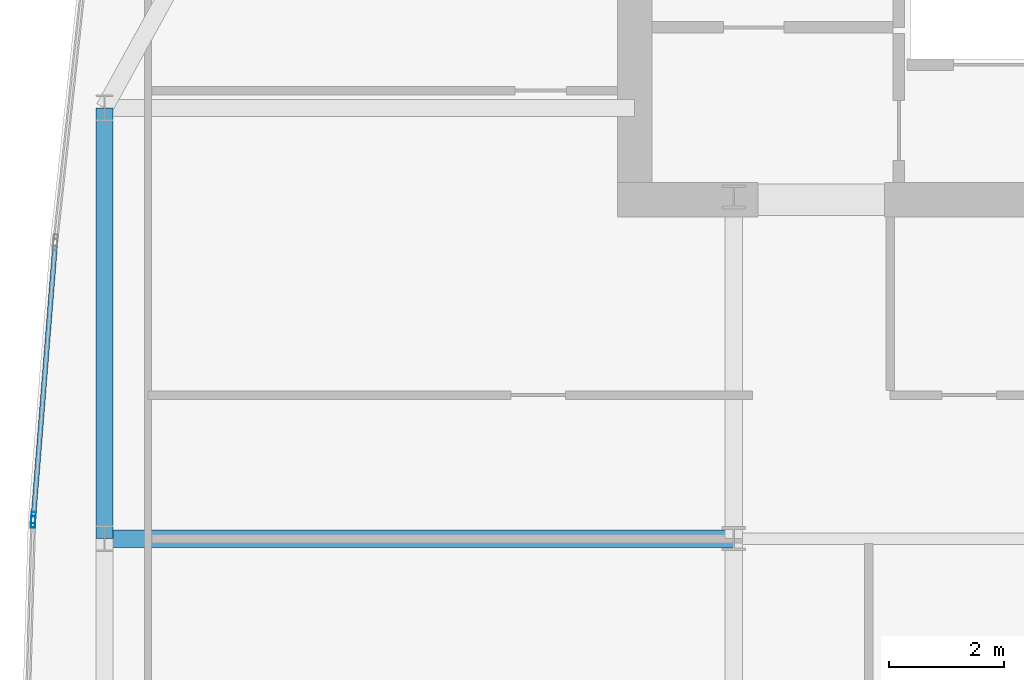
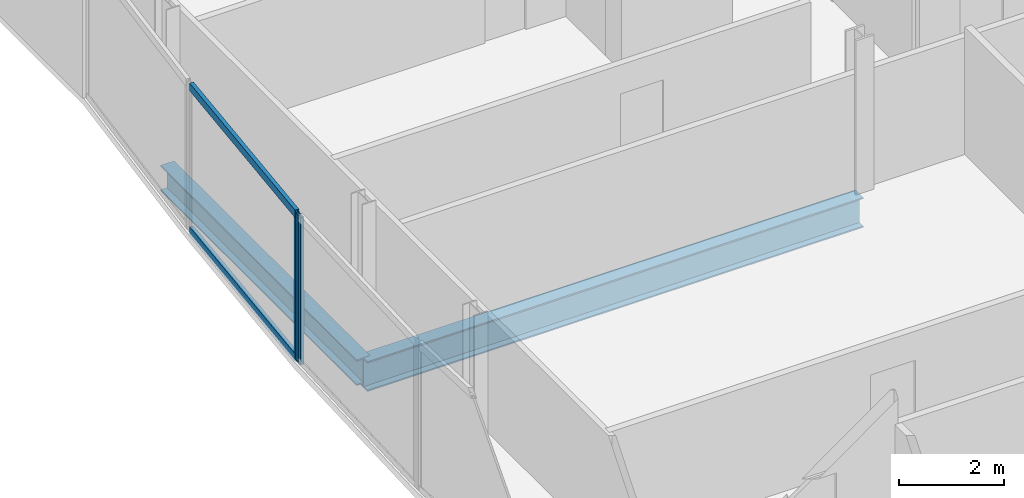
# One storey, part 12 of 32: 4 members, 2 beams, 2 elements without a shape of their own.
"""IFC4 building model written with IfcOpenShell, lengths in metres."""

import ifcopenshell
import ifcopenshell.guid

model = None  # the IFC model being written
_history = None  # IfcOwnerHistory: only IFC2X3 demands one
_inside = {}  # id of a spatial element -> (the spatial element, [elements in it])
_under = {}  # id of a project, library or spatial element -> (it, [spatial elements below it])
_declared = {}  # id of a project -> (the project, [libraries it declares])
_typed = {}  # id of a type object -> (the type object, [elements of that type])
_made_of = {}  # id of a material, layer set ... -> (it, [elements and type objects made of it])


def new_model(schema):
    """Start an empty IFC model of exactly this schema.

    Asked for "IFC4X3", IfcOpenShell would pick the latest addendum, in which some entities
    have other attributes; the version numbers below select the first issue.
    IFC2X3 requires an IfcOwnerHistory on every rooted entity: one is made here for all.
    """
    global model, _history
    if schema == "IFC4X3":
        model = ifcopenshell.file(schema_version=(4, 3, 0, 0))
    else:
        model = ifcopenshell.file(schema=schema)
    _inside.clear()
    _under.clear()
    _declared.clear()
    _typed.clear()
    _made_of.clear()
    _history = None
    if model.schema == "IFC2X3":
        org = make("IfcOrganization", Name="unknown")
        user = make(
            "IfcPersonAndOrganization",
            ThePerson=make("IfcPerson", FamilyName="unknown"),
            TheOrganization=org,
        )
        app = make(
            "IfcApplication",
            ApplicationDeveloper=org,
            Version="unknown",
            ApplicationFullName="unknown",
            ApplicationIdentifier="unknown",
        )
        _history = make(
            "IfcOwnerHistory",
            OwningUser=user,
            OwningApplication=app,
            ChangeAction="ADDED",
            CreationDate=0,
        )
    return model


def make(cls, **values):
    """One entity of the class cls with the attributes given. An attribute that is None is left unset."""
    return model.create_entity(
        cls, **{name: value for name, value in values.items() if value is not None}
    )


def rooted(cls, **values):
    """An entity with a GlobalId (a new one), such as an element, a storey or a relation."""
    return make(cls, GlobalId=ifcopenshell.guid.new(), OwnerHistory=_history, **values)


def si_unit(unit_type, name, prefix=None):
    """IfcSIUnit, for example si_unit("LENGTHUNIT", "METRE", prefix="MILLI")."""
    return make("IfcSIUnit", UnitType=unit_type, Prefix=prefix, Name=name)


def assignment(units):
    """IfcUnitAssignment: the units of a project."""
    return None if units is None else make("IfcUnitAssignment", Units=units)


def point(xyz):
    """IfcCartesianPoint."""
    return None if xyz is None else make("IfcCartesianPoint", Coordinates=xyz)


def direction(xyz):
    """IfcDirection."""
    return None if xyz is None else make("IfcDirection", DirectionRatios=xyz)


def frame(location, z_axis=None, x_axis=None):
    """IfcAxis2Placement3D, a coordinate frame: its origin and axes. An axis left out is left unset."""
    return make(
        "IfcAxis2Placement3D",
        Location=point(location),
        Axis=direction(z_axis),
        RefDirection=direction(x_axis),
    )


def frame_2d(location, x_axis=None):
    """IfcAxis2Placement2D, a coordinate frame in the plane: its origin and x axis."""
    return make(
        "IfcAxis2Placement2D", Location=point(location), RefDirection=direction(x_axis)
    )


def origin():
    """The frame at (0, 0, 0) with its axes left unset."""
    return frame((0.0, 0.0, 0.0))


def origin_2d():
    """The frame at (0, 0) in the plane with its x axis left unset."""
    return frame_2d((0.0, 0.0))


def place(relative_to, where):
    """IfcLocalPlacement: puts the frame where relative to a parent placement (None: the world)."""
    return make(
        "IfcLocalPlacement", PlacementRelTo=relative_to, RelativePlacement=where
    )


def context(
    kind, dimensions, precision=None, world=None, true_north=None, identifier=None
):
    """IfcGeometricRepresentationContext, for example the 3D "Model" context."""
    return make(
        "IfcGeometricRepresentationContext",
        ContextIdentifier=identifier,
        ContextType=kind,
        CoordinateSpaceDimension=dimensions,
        Precision=precision,
        WorldCoordinateSystem=world,
        TrueNorth=true_north,
    )


def subcontext(parent, identifier, kind, view, scale=None):
    """IfcGeometricRepresentationSubContext, for example "Body" below "Model"."""
    return make(
        "IfcGeometricRepresentationSubContext",
        ContextIdentifier=identifier,
        ContextType=kind,
        ParentContext=parent,
        TargetScale=scale,
        TargetView=view,
    )


def project(units=None, contexts=None):
    """IfcProject with its units and contexts."""
    return rooted(
        "IfcProject",
        Name="project",
        RepresentationContexts=contexts,
        UnitsInContext=assignment(units),
    )


def spatial(cls, under=None, at=None, **own):
    """A site, building, storey or space (cls), placed at a placement, below another one or the project."""
    s = rooted(cls, ObjectPlacement=at, **own)
    if under is not None:
        _under.setdefault(under.id(), (under, []))[1].append(s)
    return s


def profile(cls, at=None, kind="AREA", **sizes):
    """A parametric profile (cls). Its sizes go by their IFC names, for example OverallWidth=200.0."""
    return make(cls, ProfileType=kind, Position=at, **sizes)


def hollow_rectangle(**sizes):
    """IfcRectangleHollowProfileDef."""
    return profile("IfcRectangleHollowProfileDef", **sizes)


def i_section(**sizes):
    """IfcIShapeProfileDef."""
    return profile("IfcIShapeProfileDef", **sizes)


def extrude(swept, where, along, depth):
    """IfcExtrudedAreaSolid: the profile swept, set in the frame where, extruded along a direction by depth."""
    return make(
        "IfcExtrudedAreaSolid",
        SweptArea=swept,
        Position=where,
        ExtrudedDirection=direction(along),
        Depth=depth,
    )


def shape(context_of_items, identifier, shape_type, items):
    """IfcShapeRepresentation: the items that make up one representation, for example the "Body"."""
    return make(
        "IfcShapeRepresentation",
        ContextOfItems=context_of_items,
        RepresentationIdentifier=identifier,
        RepresentationType=shape_type,
        Items=items,
    )


def material(Name=None, Category=None):
    """IfcMaterial."""
    return make("IfcMaterial", Name=Name, Category=Category)


def material_profile(
    of_material, cross_section, Name=None, Category=None, Priority=None
):
    """IfcMaterialProfile: a cross section and its material."""
    return make(
        "IfcMaterialProfile",
        Name=Name,
        Material=of_material,
        Profile=cross_section,
        Priority=Priority,
        Category=Category,
    )


def profile_set(profiles, Name=None, composite=None):
    """IfcMaterialProfileSet."""
    return make(
        "IfcMaterialProfileSet",
        Name=Name,
        MaterialProfiles=profiles,
        CompositeProfile=composite,
    )


def made_of(thing, what):
    """Note that an element or type object is made of a material, layer set ...; save() writes the relation."""
    if what is not None:
        _made_of.setdefault(what.id(), (what, []))[1].append(thing)
    return thing


def type_object(cls, material=None, **own):
    """A type object (cls), such as IfcWallType, which elements share."""
    return made_of(rooted(cls, **own), material)


def element(
    cls,
    number,
    at=None,
    inside=None,
    cuts=None,
    type_object=None,
    material=None,
    context=None,
    identifier="Body",
    shape_type=None,
    held_by="IfcProductDefinitionShape",
    body=None,
    shapes=None,
    **own,
):
    """One element of the class cls, such as IfcWall. Its Tag is "e" and its number.

    at: its placement. inside: the storey or other place that contains it. cuts: it is an
    opening in that element (IfcRelVoidsElement). A single representation is given by context,
    identifier, shape_type and body (its items); several are given by shapes. held_by: the class
    of the entity that holds the representations. save() writes the other relations.
    """
    e = rooted(cls, Tag="e%d" % number, ObjectPlacement=at, **own)
    if body is not None:
        shapes = [shape(context, identifier, shape_type, body)]
    if shapes is not None:
        e.Representation = make(held_by, Representations=shapes)
    if inside is not None:
        _inside.setdefault(inside.id(), (inside, []))[1].append(e)
    if cuts is not None:
        rooted(
            "IfcRelVoidsElement", RelatingBuildingElement=cuts, RelatedOpeningElement=e
        )
    if type_object is not None:
        _typed.setdefault(type_object.id(), (type_object, []))[1].append(e)
    return made_of(e, material)


def aggregate(whole, parts):
    """IfcRelAggregates: a whole, such as a stair, and the parts it consists of."""
    return rooted("IfcRelAggregates", RelatingObject=whole, RelatedObjects=parts)


def save(model, path):
    """Write the relations noted so far, then the file.

    IfcRelAggregates (storeys below a building ...), IfcRelContainedInSpatialStructure (elements
    in a storey), IfcRelDefinesByType, IfcRelAssociatesMaterial and IfcRelDeclares: one each for
    every whole, place, type object, material and project.
    """
    for whole, parts in _under.values():
        aggregate(whole, parts)
    for where, things in _inside.values():
        rooted(
            "IfcRelContainedInSpatialStructure",
            RelatedElements=things,
            RelatingStructure=where,
        )
    for kind, things in _typed.values():
        rooted("IfcRelDefinesByType", RelatedObjects=things, RelatingType=kind)
    for what, things in _made_of.values():
        rooted("IfcRelAssociatesMaterial", RelatedObjects=things, RelatingMaterial=what)
    for by, libraries in _declared.values():
        rooted("IfcRelDeclares", RelatingContext=by, RelatedDefinitions=libraries)
    model.write(path)


model = new_model("IFC4")

# Units and contexts
model_context = context("Model", 3, precision=1e-05, world=origin(), true_north=direction((0.0, 1.0)))
body_context = subcontext(model_context, "Body", "Model", "MODEL_VIEW")
ifc_project = project(units=[si_unit("LENGTHUNIT", "METRE"), si_unit("AREAUNIT", "SQUARE_METRE"), si_unit("VOLUMEUNIT", "CUBIC_METRE"), si_unit("PLANEANGLEUNIT", "RADIAN"), si_unit("MASSUNIT", "GRAM", prefix="KILO")], contexts=[model_context])

# Site, building, storey
site_placement = place(None, origin())
site = spatial("IfcSite", under=ifc_project, at=site_placement, CompositionType="ELEMENT")
building_placement = place(site_placement, origin())
building = spatial("IfcBuilding", under=site, at=building_placement, Name="Khoronbel Lancet Exchange", CompositionType="ELEMENT")
storey_placement = place(building_placement, frame((0.0, 0.0, 192.199951171875)))
storey = spatial("IfcBuildingStorey", under=building, at=storey_placement, Name="L48", CompositionType="ELEMENT", Elevation=192.199951171875)

# Beams
ifc_material_1 = material(Name="Steel S355", Category="steel")
ifc_material_profile_1 = material_profile(ifc_material_1, i_section(OverallWidth=0.300048828125, OverallDepth=0.699951171875, WebThickness=0.01708984375, FlangeThickness=0.031982421875, at=origin_2d()), Name="HEB 700")
ifc_profile_set_1 = profile_set([ifc_material_profile_1], Name="Steel S355")
beam_type_1 = type_object("IfcBeamType", Name="BM-BG3", PredefinedType="BEAM", material=ifc_profile_set_1)
beam_1_placement = place(storey_placement, frame((7.27001953125, 35.699951171875, -0.510009765625), z_axis=(1.0, 0.0, 0.0), x_axis=(0.0, 1.0, 0.0)))
element("IfcBeam", 1, at=beam_1_placement, inside=storey, type_object=beam_type_1, Name="Level L48 west lens tie girder LG4W", PredefinedType="BEAM", context=body_context, shape_type="SweptSolid", body=[
    extrude(i_section(OverallWidth=0.300048828125, OverallDepth=0.699951171875, WebThickness=0.01708984375, FlangeThickness=0.031982421875, at=origin_2d()), origin(), (0.0, 0.0, 1.0), 10.955078125),
])
ifc_material_profile_2 = material_profile(ifc_material_1, i_section(OverallWidth=0.300048828125, OverallDepth=0.60009765625, WebThickness=0.015380859375, FlangeThickness=0.030029296875, at=origin_2d()), Name="HEB 600")
ifc_profile_set_2 = profile_set([ifc_material_profile_2], Name="Steel S355")
beam_type_2 = type_object("IfcBeamType", Name="BM-BSP2", PredefinedType="SPANDREL", material=ifc_profile_set_2)
beam_2_placement = place(storey_placement, frame((7.27001953125, 43.199951171875, -0.4599609375), z_axis=(0.0, -1.0, 0.0), x_axis=(1.0, 0.0, 0.0)))
element("IfcBeam", 2, at=beam_2_placement, inside=storey, type_object=beam_type_2, Name="Level L48 perimeter spandrel beam SP17", PredefinedType="SPANDREL", context=body_context, shape_type="SweptSolid", body=[
    extrude(i_section(OverallWidth=0.300048828125, OverallDepth=0.60009765625, WebThickness=0.015380859375, FlangeThickness=0.030029296875, at=origin_2d()), origin(), (0.0, 0.0, 1.0), 7.5),
])

# Curtain wall, member
ifc_material_2 = material(Name="Low-E Solar Control Insulating Glass", Category="glass")
curtain_wall_type = type_object("IfcCurtainWallType", Name="CW-4", PredefinedType="NOTDEFINED", material=ifc_material_2)
curtain_wall_1_placement = place(storey_placement, origin())
curtain_wall_1 = element("IfcCurtainWall", 3, at=curtain_wall_1_placement, inside=storey, type_object=curtain_wall_type, Name="Unitised curtain wall CW-L48-E07", PredefinedType="NOTDEFINED")
ifc_material_3 = material(Name="Bronze-Anodised Aluminium 6063-T6", Category="aluminium")
ifc_material_profile_3 = material_profile(ifc_material_3, hollow_rectangle(XDim=0.074951171875, YDim=0.199951171875, WallThickness=0.0048828125, at=origin_2d()), Name="ALU MULLION 75x200")
ifc_profile_set_3 = profile_set([ifc_material_profile_3], Name="Bronze-Anodised Aluminium 6063-T6")
member_type_1 = type_object("IfcMemberType", Name="MEM-CWM2", PredefinedType="MULLION", material=ifc_profile_set_3)
member_1_placement = place(storey_placement, frame((6.029541015625, 35.990966796875, 0.0), z_axis=(0.0, 0.0, 1.0), x_axis=(-0.999576300376, 0.029107039142, 0.0)))
member_1 = element("IfcMember", 4, at=member_1_placement, type_object=member_type_1, Name="CW4 mullion 2", PredefinedType="MULLION", context=body_context, shape_type="SweptSolid", body=[
    extrude(hollow_rectangle(XDim=0.074951171875, YDim=0.199951171875, WallThickness=0.0048828125, at=origin_2d()), origin(), (0.0, 0.0, 1.0), 3.43994140625),
])
aggregate(curtain_wall_1, [member_1])

# Curtain wall, members
curtain_wall_2_placement = place(storey_placement, origin())
curtain_wall_2 = element("IfcCurtainWall", 5, at=curtain_wall_2_placement, inside=storey, type_object=curtain_wall_type, Name="Unitised curtain wall CW-L48-E08", PredefinedType="NOTDEFINED")
member_2_placement = place(storey_placement, frame((6.03369140625, 36.065673828125, 0.0), z_axis=(0.0, 0.0, 1.0), x_axis=(-0.996854401909, 0.079254661653, 0.0)))
member_2 = element("IfcMember", 6, at=member_2_placement, type_object=member_type_1, Name="CW4 mullion 1", PredefinedType="MULLION", context=body_context, shape_type="SweptSolid", body=[
    extrude(hollow_rectangle(XDim=0.074951171875, YDim=0.199951171875, WallThickness=0.0048828125, at=origin_2d()), origin(), (0.0, 0.0, 1.0), 3.43994140625),
])
ifc_material_profile_4 = material_profile(ifc_material_3, hollow_rectangle(XDim=0.0849609375, YDim=0.179931640625, WallThickness=0.0048828125, at=origin_2d()), Name="ALU TRANSOM 85x180")
ifc_profile_set_4 = profile_set([ifc_material_profile_4], Name="Bronze-Anodised Aluminium 6063-T6")
member_type_2 = type_object("IfcMemberType", Name="MEM-CWT1", PredefinedType="USERDEFINED", material=ifc_profile_set_4)
member_3_placement = place(storey_placement, frame((6.03662109375, 36.103271484375, 0.04248046875), z_axis=(0.079249179589, 0.996854837744, 0.0), x_axis=(-0.996854837744, 0.079249179589, 0.0)))
member_3 = element("IfcMember", 7, at=member_3_placement, type_object=member_type_2, Name="CW4 transom 1.1", ObjectType="TRANSOM", PredefinedType="USERDEFINED", context=body_context, shape_type="SweptSolid", body=[
    extrude(hollow_rectangle(XDim=0.0849609375, YDim=0.179931640625, WallThickness=0.0048828125, at=origin_2d()), origin(), (0.0, 0.0, 1.0), 4.69482421875),
])
member_4_placement = place(storey_placement, frame((6.03662109375, 36.103271484375, 3.3974609375), z_axis=(0.079249179589, 0.996854837744, 0.0), x_axis=(-0.996854837744, 0.079249179589, 0.0)))
member_4 = element("IfcMember", 8, at=member_4_placement, type_object=member_type_2, Name="CW4 transom 1.2", ObjectType="TRANSOM", PredefinedType="USERDEFINED", context=body_context, shape_type="SweptSolid", body=[
    extrude(hollow_rectangle(XDim=0.0849609375, YDim=0.179931640625, WallThickness=0.0048828125, at=origin_2d()), origin(), (0.0, 0.0, 1.0), 4.69482421875),
])
aggregate(curtain_wall_2, [member_2, member_3, member_4])

save(model, "model.ifc")
